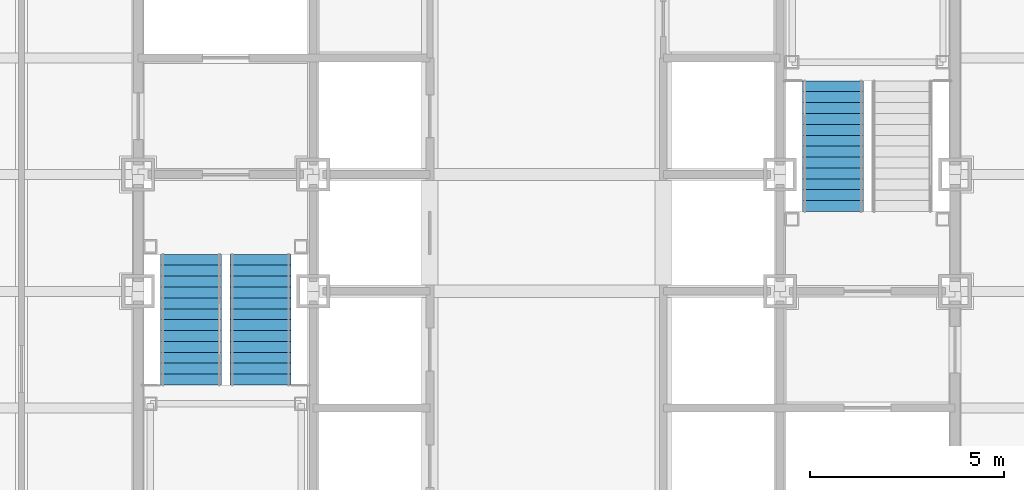
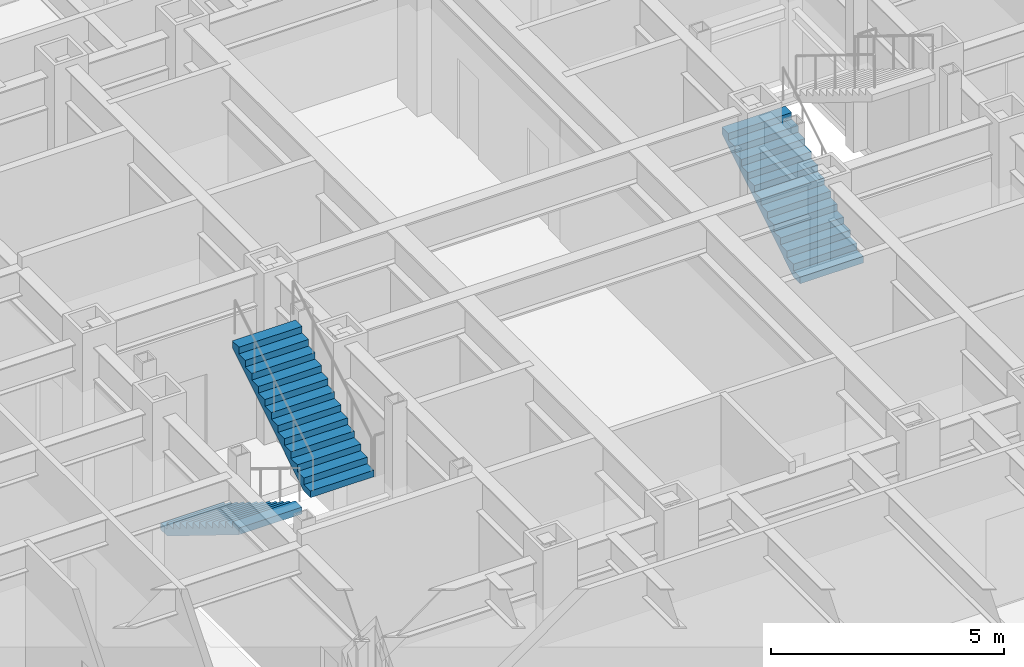
# One storey, part 12 of 16: 3 stair flights, 2 elements without a shape of their own.
"""IFC4 building model written with IfcOpenShell, lengths in metres."""

from ifc_helpers import new_model, si_unit, direction, frame, origin, place, context, subcontext, project, spatial, faceted_brep, material, type_object, element, aggregate, save


model = new_model("IFC4")

# Units and contexts
model_context = context("Model", 3, precision=1e-05, world=origin(), true_north=direction((0.0, 1.0)))
body_context = subcontext(model_context, "Body", "Model", "MODEL_VIEW")
ifc_project = project(units=[si_unit("LENGTHUNIT", "METRE"), si_unit("AREAUNIT", "SQUARE_METRE"), si_unit("VOLUMEUNIT", "CUBIC_METRE"), si_unit("PLANEANGLEUNIT", "RADIAN"), si_unit("MASSUNIT", "GRAM", prefix="KILO")], contexts=[model_context])

# Site, building, storey
site_placement = place(None, origin())
site = spatial("IfcSite", under=ifc_project, at=site_placement, CompositionType="ELEMENT")
building_placement = place(site_placement, origin())
building = spatial("IfcBuilding", under=site, at=building_placement, Name="Chuquiago Exchange Tower", CompositionType="ELEMENT")
storey_placement = place(building_placement, frame((0.0, 0.0, 73.800048828125)))
storey = spatial("IfcBuildingStorey", under=building, at=storey_placement, Name="L15", CompositionType="ELEMENT", Elevation=73.800048828125)

# Stair, stair flights
ifc_material_1 = material(Name="Concrete C30/37, precast", Category="concrete")
stair_type_1 = type_object("IfcStairType", Name="ST1 half-turn stair 4500", PredefinedType="HALF_TURN_STAIR", material=ifc_material_1)
stair_1_placement = place(storey_placement, origin())
stair_1 = element("IfcStair", 1, at=stair_1_placement, inside=storey, type_object=stair_type_1, Name="Stair ST1 L15", PredefinedType="HALF_TURN_STAIR")
ifc_material_2 = material(Name="Concrete C30/37, precast", Category="concrete")
stair_flight_type = type_object("IfcStairFlightType", Name="ST-F flight 1570 for 4500 storey", PredefinedType="STRAIGHT", material=ifc_material_2)
stair_flight_1_placement = place(storey_placement, frame((13.360107421875, 21.949951171875, 0.0), z_axis=(0.0, 0.0, 1.0), x_axis=(0.0, -1.0, 0.0)))
stair_flight_1 = element("IfcStairFlight", 2, at=stair_flight_1_placement, type_object=stair_flight_type, Name="ST1 flight 1", NumberOfRisers=13, NumberOfTreads=12, PredefinedType="STRAIGHT", RiserHeight=0.173076923, TreadLength=0.28, context=body_context, shape_type="Brep", body=[
    faceted_brep([(0.0, 0.78515625, 0.0), (0.0, 0.78515625, 0.173095703125), (0.280029296875, 0.78515625, 0.173095703125), (0.280029296875, 0.78515625, 0.34619140625), (0.56005859375, 0.78515625, 0.34619140625), (0.56005859375, 0.78515625, 0.519287109375), (0.840087890625, 0.78515625, 0.519287109375), (0.840087890625, 0.78515625, 0.6923828125), (1.1201171875, 0.78515625, 0.6923828125), (1.1201171875, 0.78515625, 0.865478515625), (1.39990234375, 0.78515625, 0.865478515625), (1.39990234375, 0.78515625, 1.03857421875), (1.679931640625, 0.78515625, 1.03857421875), (1.679931640625, 0.78515625, 1.21142578125), (1.9599609375, 0.78515625, 1.21142578125), (1.9599609375, 0.78515625, 1.384521484375), (2.239990234375, 0.78515625, 1.384521484375), (2.239990234375, 0.78515625, 1.5576171875), (2.52001953125, 0.78515625, 1.5576171875), (2.52001953125, 0.78515625, 1.730712890625), (2.800048828125, 0.78515625, 1.730712890625), (2.800048828125, 0.78515625, 1.90380859375), (3.080078125, 0.78515625, 1.90380859375), (3.080078125, 0.78515625, 2.076904296875), (3.360107421875, 0.78515625, 2.076904296875), (3.360107421875, 0.78515625, 1.900634765625), (0.28515625, 0.78515625, 0.0), (0.28515625, -0.78515625, 0.0), (3.360107421875, -0.78515625, 1.900634765625), (3.360107421875, -0.78515625, 2.076904296875), (3.080078125, -0.78515625, 2.076904296875), (3.080078125, -0.78515625, 1.90380859375), (2.800048828125, -0.78515625, 1.90380859375), (2.800048828125, -0.78515625, 1.730712890625), (2.52001953125, -0.78515625, 1.730712890625), (2.52001953125, -0.78515625, 1.5576171875), (2.239990234375, -0.78515625, 1.5576171875), (2.239990234375, -0.78515625, 1.384521484375), (1.9599609375, -0.78515625, 1.384521484375), (1.9599609375, -0.78515625, 1.21142578125), (1.679931640625, -0.78515625, 1.21142578125), (1.679931640625, -0.78515625, 1.03857421875), (1.39990234375, -0.78515625, 1.03857421875), (1.39990234375, -0.78515625, 0.865478515625), (1.1201171875, -0.78515625, 0.865478515625), (1.1201171875, -0.78515625, 0.6923828125), (0.840087890625, -0.78515625, 0.6923828125), (0.840087890625, -0.78515625, 0.519287109375), (0.56005859375, -0.78515625, 0.519287109375), (0.56005859375, -0.78515625, 0.34619140625), (0.280029296875, -0.78515625, 0.34619140625), (0.280029296875, -0.78515625, 0.173095703125), (0.0, -0.78515625, 0.173095703125), (0.0, -0.78515625, 0.0), (0.0, 0.392578125, 0.0), (0.0, 0.392578125, 0.173095703125), (0.0, 0.0, 0.0), (0.0, 0.0, 0.173095703125), (0.0, -0.392578125, 0.0), (0.0, -0.392578125, 0.173095703125), (0.280029296875, 0.392578125, 0.173095703125), (0.280029296875, 0.0, 0.173095703125), (0.280029296875, -0.392578125, 0.173095703125), (0.280029296875, 0.392578125, 0.34619140625), (0.280029296875, 0.0, 0.34619140625), (0.280029296875, -0.392578125, 0.34619140625), (0.56005859375, 0.392578125, 0.34619140625), (0.56005859375, 0.0, 0.34619140625), (0.56005859375, -0.392578125, 0.34619140625), (0.56005859375, 0.392578125, 0.519287109375), (0.56005859375, 0.0, 0.519287109375), (0.56005859375, -0.392578125, 0.519287109375), (0.840087890625, 0.392578125, 0.519287109375), (0.840087890625, 0.0, 0.519287109375), (0.840087890625, -0.392578125, 0.519287109375), (0.840087890625, 0.392578125, 0.6923828125), (0.840087890625, 0.0, 0.6923828125), (0.840087890625, -0.392578125, 0.6923828125), (1.1201171875, 0.392578125, 0.6923828125), (1.1201171875, 0.0, 0.6923828125), (1.1201171875, -0.392578125, 0.6923828125), (1.1201171875, 0.392578125, 0.865478515625), (1.1201171875, 0.0, 0.865478515625), (1.1201171875, -0.392578125, 0.865478515625), (1.39990234375, 0.392578125, 0.865478515625), (1.39990234375, 0.0, 0.865478515625), (1.39990234375, -0.392578125, 0.865478515625), (1.39990234375, 0.392578125, 1.03857421875), (1.39990234375, 0.0, 1.03857421875), (1.39990234375, -0.392578125, 1.03857421875), (1.679931640625, 0.392578125, 1.03857421875), (1.679931640625, 0.0, 1.03857421875), (1.679931640625, -0.392578125, 1.03857421875), (1.679931640625, 0.392578125, 1.21142578125), (1.679931640625, 0.0, 1.21142578125), (1.679931640625, -0.392578125, 1.21142578125), (1.9599609375, 0.392578125, 1.21142578125), (1.9599609375, 0.0, 1.21142578125), (1.9599609375, -0.392578125, 1.21142578125), (1.9599609375, 0.392578125, 1.384521484375), (1.9599609375, 0.0, 1.384521484375), (1.9599609375, -0.392578125, 1.384521484375), (2.239990234375, 0.392578125, 1.384521484375), (2.239990234375, 0.0, 1.384521484375), (2.239990234375, -0.392578125, 1.384521484375), (2.239990234375, 0.392578125, 1.5576171875), (2.239990234375, 0.0, 1.5576171875), (2.239990234375, -0.392578125, 1.5576171875), (2.52001953125, 0.392578125, 1.5576171875), (2.52001953125, 0.0, 1.5576171875), (2.52001953125, -0.392578125, 1.5576171875), (2.52001953125, 0.392578125, 1.730712890625), (2.52001953125, 0.0, 1.730712890625), (2.52001953125, -0.392578125, 1.730712890625), (2.800048828125, 0.392578125, 1.730712890625), (2.800048828125, 0.0, 1.730712890625), (2.800048828125, -0.392578125, 1.730712890625), (2.800048828125, 0.392578125, 1.90380859375), (2.800048828125, 0.0, 1.90380859375), (2.800048828125, -0.392578125, 1.90380859375), (3.080078125, 0.392578125, 1.90380859375), (3.080078125, 0.0, 1.90380859375), (3.080078125, -0.392578125, 1.90380859375), (3.080078125, 0.392578125, 2.076904296875), (3.080078125, 0.0, 2.076904296875), (3.080078125, -0.392578125, 2.076904296875), (3.360107421875, 0.392578125, 2.076904296875), (3.360107421875, 0.0, 2.076904296875), (3.360107421875, -0.392578125, 2.076904296875), (3.360107421875, 0.392578125, 1.900634765625), (3.360107421875, 0.0, 1.900634765625), (3.360107421875, -0.392578125, 1.900634765625), (0.28515625, 0.392578125, 0.0), (0.28515625, 0.0, 0.0), (0.28515625, -0.392578125, 0.0)], [[[0, 1, 2, 3, 4, 5, 6, 7, 8, 9, 10, 11, 12, 13, 14, 15, 16, 17, 18, 19, 20, 21, 22, 23, 24, 25, 26]], [[27, 28, 29, 30, 31, 32, 33, 34, 35, 36, 37, 38, 39, 40, 41, 42, 43, 44, 45, 46, 47, 48, 49, 50, 51, 52, 53]], [[1, 0, 54, 55]], [[55, 54, 56, 57]], [[57, 56, 58, 59]], [[59, 58, 53, 52]], [[2, 1, 55, 60]], [[60, 55, 57, 61]], [[61, 57, 59, 62]], [[62, 59, 52, 51]], [[3, 2, 60, 63]], [[63, 60, 61, 64]], [[64, 61, 62, 65]], [[65, 62, 51, 50]], [[4, 3, 63, 66]], [[66, 63, 64, 67]], [[67, 64, 65, 68]], [[68, 65, 50, 49]], [[5, 4, 66, 69]], [[69, 66, 67, 70]], [[70, 67, 68, 71]], [[71, 68, 49, 48]], [[6, 5, 69, 72]], [[72, 69, 70, 73]], [[73, 70, 71, 74]], [[74, 71, 48, 47]], [[7, 6, 72, 75]], [[75, 72, 73, 76]], [[76, 73, 74, 77]], [[77, 74, 47, 46]], [[8, 7, 75, 78]], [[78, 75, 76, 79]], [[79, 76, 77, 80]], [[80, 77, 46, 45]], [[9, 8, 78, 81]], [[81, 78, 79, 82]], [[82, 79, 80, 83]], [[83, 80, 45, 44]], [[10, 9, 81, 84]], [[84, 81, 82, 85]], [[85, 82, 83, 86]], [[86, 83, 44, 43]], [[11, 10, 84, 87]], [[87, 84, 85, 88]], [[88, 85, 86, 89]], [[89, 86, 43, 42]], [[12, 11, 87, 90]], [[90, 87, 88, 91]], [[91, 88, 89, 92]], [[92, 89, 42, 41]], [[13, 12, 90, 93]], [[93, 90, 91, 94]], [[94, 91, 92, 95]], [[95, 92, 41, 40]], [[14, 13, 93, 96]], [[96, 93, 94, 97]], [[97, 94, 95, 98]], [[98, 95, 40, 39]], [[15, 14, 96, 99]], [[99, 96, 97, 100]], [[100, 97, 98, 101]], [[101, 98, 39, 38]], [[16, 15, 99, 102]], [[102, 99, 100, 103]], [[103, 100, 101, 104]], [[104, 101, 38, 37]], [[17, 16, 102, 105]], [[105, 102, 103, 106]], [[106, 103, 104, 107]], [[107, 104, 37, 36]], [[18, 17, 105, 108]], [[108, 105, 106, 109]], [[109, 106, 107, 110]], [[110, 107, 36, 35]], [[19, 18, 108, 111]], [[111, 108, 109, 112]], [[112, 109, 110, 113]], [[113, 110, 35, 34]], [[20, 19, 111, 114]], [[114, 111, 112, 115]], [[115, 112, 113, 116]], [[116, 113, 34, 33]], [[21, 20, 114, 117]], [[117, 114, 115, 118]], [[118, 115, 116, 119]], [[119, 116, 33, 32]], [[22, 21, 117, 120]], [[120, 117, 118, 121]], [[121, 118, 119, 122]], [[122, 119, 32, 31]], [[23, 22, 120, 123]], [[123, 120, 121, 124]], [[124, 121, 122, 125]], [[125, 122, 31, 30]], [[24, 23, 123, 126]], [[126, 123, 124, 127]], [[127, 124, 125, 128]], [[128, 125, 30, 29]], [[25, 24, 126, 129]], [[129, 126, 127, 130]], [[130, 127, 128, 131]], [[131, 128, 29, 28]], [[26, 25, 129, 132]], [[132, 129, 130, 133]], [[133, 130, 131, 134]], [[134, 131, 28, 27]], [[0, 26, 132, 54]], [[54, 132, 133, 56]], [[56, 133, 134, 58]], [[58, 134, 27, 53]]]),
])
stair_flight_2_placement = place(storey_placement, frame((15.139892578125, 18.590087890625, 2.25), z_axis=(0.0, 0.0, 1.0), x_axis=(0.0, 1.0, 0.0)))
stair_flight_2 = element("IfcStairFlight", 3, at=stair_flight_2_placement, type_object=stair_flight_type, Name="ST1 flight 2", NumberOfRisers=13, NumberOfTreads=12, PredefinedType="STRAIGHT", RiserHeight=0.173076923, TreadLength=0.28, context=body_context, shape_type="Brep", body=[
    faceted_brep([(0.0, 0.78515625, 0.0), (0.0, 0.78515625, 0.173095703125), (0.280029296875, 0.78515625, 0.173095703125), (0.280029296875, 0.78515625, 0.34619140625), (0.56005859375, 0.78515625, 0.34619140625), (0.56005859375, 0.78515625, 0.519287109375), (0.840087890625, 0.78515625, 0.519287109375), (0.840087890625, 0.78515625, 0.6923828125), (1.1201171875, 0.78515625, 0.6923828125), (1.1201171875, 0.78515625, 0.865478515625), (1.39990234375, 0.78515625, 0.865478515625), (1.39990234375, 0.78515625, 1.03857421875), (1.679931640625, 0.78515625, 1.03857421875), (1.679931640625, 0.78515625, 1.21142578125), (1.9599609375, 0.78515625, 1.21142578125), (1.9599609375, 0.78515625, 1.384521484375), (2.239990234375, 0.78515625, 1.384521484375), (2.239990234375, 0.78515625, 1.5576171875), (2.52001953125, 0.78515625, 1.5576171875), (2.52001953125, 0.78515625, 1.730712890625), (2.800048828125, 0.78515625, 1.730712890625), (2.800048828125, 0.78515625, 1.90380859375), (3.080078125, 0.78515625, 1.90380859375), (3.080078125, 0.78515625, 2.076904296875), (3.360107421875, 0.78515625, 2.076904296875), (3.360107421875, 0.78515625, 1.900634765625), (0.28515625, 0.78515625, 0.0), (0.28515625, -0.78515625, 0.0), (3.360107421875, -0.78515625, 1.900634765625), (3.360107421875, -0.78515625, 2.076904296875), (3.080078125, -0.78515625, 2.076904296875), (3.080078125, -0.78515625, 1.90380859375), (2.800048828125, -0.78515625, 1.90380859375), (2.800048828125, -0.78515625, 1.730712890625), (2.52001953125, -0.78515625, 1.730712890625), (2.52001953125, -0.78515625, 1.5576171875), (2.239990234375, -0.78515625, 1.5576171875), (2.239990234375, -0.78515625, 1.384521484375), (1.9599609375, -0.78515625, 1.384521484375), (1.9599609375, -0.78515625, 1.21142578125), (1.679931640625, -0.78515625, 1.21142578125), (1.679931640625, -0.78515625, 1.03857421875), (1.39990234375, -0.78515625, 1.03857421875), (1.39990234375, -0.78515625, 0.865478515625), (1.1201171875, -0.78515625, 0.865478515625), (1.1201171875, -0.78515625, 0.6923828125), (0.840087890625, -0.78515625, 0.6923828125), (0.840087890625, -0.78515625, 0.519287109375), (0.56005859375, -0.78515625, 0.519287109375), (0.56005859375, -0.78515625, 0.34619140625), (0.280029296875, -0.78515625, 0.34619140625), (0.280029296875, -0.78515625, 0.173095703125), (0.0, -0.78515625, 0.173095703125), (0.0, -0.78515625, 0.0), (0.0, 0.392578125, 0.0), (0.0, 0.392578125, 0.173095703125), (0.0, 0.0, 0.0), (0.0, 0.0, 0.173095703125), (0.0, -0.392578125, 0.0), (0.0, -0.392578125, 0.173095703125), (0.280029296875, 0.392578125, 0.173095703125), (0.280029296875, 0.0, 0.173095703125), (0.280029296875, -0.392578125, 0.173095703125), (0.280029296875, 0.392578125, 0.34619140625), (0.280029296875, 0.0, 0.34619140625), (0.280029296875, -0.392578125, 0.34619140625), (0.56005859375, 0.392578125, 0.34619140625), (0.56005859375, 0.0, 0.34619140625), (0.56005859375, -0.392578125, 0.34619140625), (0.56005859375, 0.392578125, 0.519287109375), (0.56005859375, 0.0, 0.519287109375), (0.56005859375, -0.392578125, 0.519287109375), (0.840087890625, 0.392578125, 0.519287109375), (0.840087890625, 0.0, 0.519287109375), (0.840087890625, -0.392578125, 0.519287109375), (0.840087890625, 0.392578125, 0.6923828125), (0.840087890625, 0.0, 0.6923828125), (0.840087890625, -0.392578125, 0.6923828125), (1.1201171875, 0.392578125, 0.6923828125), (1.1201171875, 0.0, 0.6923828125), (1.1201171875, -0.392578125, 0.6923828125), (1.1201171875, 0.392578125, 0.865478515625), (1.1201171875, 0.0, 0.865478515625), (1.1201171875, -0.392578125, 0.865478515625), (1.39990234375, 0.392578125, 0.865478515625), (1.39990234375, 0.0, 0.865478515625), (1.39990234375, -0.392578125, 0.865478515625), (1.39990234375, 0.392578125, 1.03857421875), (1.39990234375, 0.0, 1.03857421875), (1.39990234375, -0.392578125, 1.03857421875), (1.679931640625, 0.392578125, 1.03857421875), (1.679931640625, 0.0, 1.03857421875), (1.679931640625, -0.392578125, 1.03857421875), (1.679931640625, 0.392578125, 1.21142578125), (1.679931640625, 0.0, 1.21142578125), (1.679931640625, -0.392578125, 1.21142578125), (1.9599609375, 0.392578125, 1.21142578125), (1.9599609375, 0.0, 1.21142578125), (1.9599609375, -0.392578125, 1.21142578125), (1.9599609375, 0.392578125, 1.384521484375), (1.9599609375, 0.0, 1.384521484375), (1.9599609375, -0.392578125, 1.384521484375), (2.239990234375, 0.392578125, 1.384521484375), (2.239990234375, 0.0, 1.384521484375), (2.239990234375, -0.392578125, 1.384521484375), (2.239990234375, 0.392578125, 1.5576171875), (2.239990234375, 0.0, 1.5576171875), (2.239990234375, -0.392578125, 1.5576171875), (2.52001953125, 0.392578125, 1.5576171875), (2.52001953125, 0.0, 1.5576171875), (2.52001953125, -0.392578125, 1.5576171875), (2.52001953125, 0.392578125, 1.730712890625), (2.52001953125, 0.0, 1.730712890625), (2.52001953125, -0.392578125, 1.730712890625), (2.800048828125, 0.392578125, 1.730712890625), (2.800048828125, 0.0, 1.730712890625), (2.800048828125, -0.392578125, 1.730712890625), (2.800048828125, 0.392578125, 1.90380859375), (2.800048828125, 0.0, 1.90380859375), (2.800048828125, -0.392578125, 1.90380859375), (3.080078125, 0.392578125, 1.90380859375), (3.080078125, 0.0, 1.90380859375), (3.080078125, -0.392578125, 1.90380859375), (3.080078125, 0.392578125, 2.076904296875), (3.080078125, 0.0, 2.076904296875), (3.080078125, -0.392578125, 2.076904296875), (3.360107421875, 0.392578125, 2.076904296875), (3.360107421875, 0.0, 2.076904296875), (3.360107421875, -0.392578125, 2.076904296875), (3.360107421875, 0.392578125, 1.900634765625), (3.360107421875, 0.0, 1.900634765625), (3.360107421875, -0.392578125, 1.900634765625), (0.28515625, 0.392578125, 0.0), (0.28515625, 0.0, 0.0), (0.28515625, -0.392578125, 0.0)], [[[0, 1, 2, 3, 4, 5, 6, 7, 8, 9, 10, 11, 12, 13, 14, 15, 16, 17, 18, 19, 20, 21, 22, 23, 24, 25, 26]], [[27, 28, 29, 30, 31, 32, 33, 34, 35, 36, 37, 38, 39, 40, 41, 42, 43, 44, 45, 46, 47, 48, 49, 50, 51, 52, 53]], [[1, 0, 54, 55]], [[55, 54, 56, 57]], [[57, 56, 58, 59]], [[59, 58, 53, 52]], [[2, 1, 55, 60]], [[60, 55, 57, 61]], [[61, 57, 59, 62]], [[62, 59, 52, 51]], [[3, 2, 60, 63]], [[63, 60, 61, 64]], [[64, 61, 62, 65]], [[65, 62, 51, 50]], [[4, 3, 63, 66]], [[66, 63, 64, 67]], [[67, 64, 65, 68]], [[68, 65, 50, 49]], [[5, 4, 66, 69]], [[69, 66, 67, 70]], [[70, 67, 68, 71]], [[71, 68, 49, 48]], [[6, 5, 69, 72]], [[72, 69, 70, 73]], [[73, 70, 71, 74]], [[74, 71, 48, 47]], [[7, 6, 72, 75]], [[75, 72, 73, 76]], [[76, 73, 74, 77]], [[77, 74, 47, 46]], [[8, 7, 75, 78]], [[78, 75, 76, 79]], [[79, 76, 77, 80]], [[80, 77, 46, 45]], [[9, 8, 78, 81]], [[81, 78, 79, 82]], [[82, 79, 80, 83]], [[83, 80, 45, 44]], [[10, 9, 81, 84]], [[84, 81, 82, 85]], [[85, 82, 83, 86]], [[86, 83, 44, 43]], [[11, 10, 84, 87]], [[87, 84, 85, 88]], [[88, 85, 86, 89]], [[89, 86, 43, 42]], [[12, 11, 87, 90]], [[90, 87, 88, 91]], [[91, 88, 89, 92]], [[92, 89, 42, 41]], [[13, 12, 90, 93]], [[93, 90, 91, 94]], [[94, 91, 92, 95]], [[95, 92, 41, 40]], [[14, 13, 93, 96]], [[96, 93, 94, 97]], [[97, 94, 95, 98]], [[98, 95, 40, 39]], [[15, 14, 96, 99]], [[99, 96, 97, 100]], [[100, 97, 98, 101]], [[101, 98, 39, 38]], [[16, 15, 99, 102]], [[102, 99, 100, 103]], [[103, 100, 101, 104]], [[104, 101, 38, 37]], [[17, 16, 102, 105]], [[105, 102, 103, 106]], [[106, 103, 104, 107]], [[107, 104, 37, 36]], [[18, 17, 105, 108]], [[108, 105, 106, 109]], [[109, 106, 107, 110]], [[110, 107, 36, 35]], [[19, 18, 108, 111]], [[111, 108, 109, 112]], [[112, 109, 110, 113]], [[113, 110, 35, 34]], [[20, 19, 111, 114]], [[114, 111, 112, 115]], [[115, 112, 113, 116]], [[116, 113, 34, 33]], [[21, 20, 114, 117]], [[117, 114, 115, 118]], [[118, 115, 116, 119]], [[119, 116, 33, 32]], [[22, 21, 117, 120]], [[120, 117, 118, 121]], [[121, 118, 119, 122]], [[122, 119, 32, 31]], [[23, 22, 120, 123]], [[123, 120, 121, 124]], [[124, 121, 122, 125]], [[125, 122, 31, 30]], [[24, 23, 123, 126]], [[126, 123, 124, 127]], [[127, 124, 125, 128]], [[128, 125, 30, 29]], [[25, 24, 126, 129]], [[129, 126, 127, 130]], [[130, 127, 128, 131]], [[131, 128, 29, 28]], [[26, 25, 129, 132]], [[132, 129, 130, 133]], [[133, 130, 131, 134]], [[134, 131, 28, 27]], [[0, 26, 132, 54]], [[54, 132, 133, 56]], [[56, 133, 134, 58]], [[58, 134, 27, 53]]]),
])
aggregate(stair_1, [stair_flight_1, stair_flight_2])

# Stair, stair flight
ifc_material_3 = material(Name="Concrete C30/37, precast", Category="concrete")
stair_type_2 = type_object("IfcStairType", Name="ST2 half-turn stair 4500", PredefinedType="HALF_TURN_STAIR", material=ifc_material_3)
stair_2_placement = place(storey_placement, origin())
stair_2 = element("IfcStair", 4, at=stair_2_placement, inside=storey, type_object=stair_type_2, Name="Stair ST2 L15", PredefinedType="HALF_TURN_STAIR")
stair_flight_3_placement = place(storey_placement, frame((29.860107421875, 23.050048828125, 0.0), z_axis=(0.0, 0.0, 1.0), x_axis=(0.0, 1.0, 0.0)))
stair_flight_3 = element("IfcStairFlight", 5, at=stair_flight_3_placement, type_object=stair_flight_type, Name="ST2 flight 1", NumberOfRisers=13, NumberOfTreads=12, PredefinedType="STRAIGHT", RiserHeight=0.173076923, TreadLength=0.28, context=body_context, shape_type="Brep", body=[
    faceted_brep([(0.0, 0.78515625, 0.0), (0.0, 0.78515625, 0.173095703125), (0.280029296875, 0.78515625, 0.173095703125), (0.280029296875, 0.78515625, 0.34619140625), (0.56005859375, 0.78515625, 0.34619140625), (0.56005859375, 0.78515625, 0.519287109375), (0.840087890625, 0.78515625, 0.519287109375), (0.840087890625, 0.78515625, 0.6923828125), (1.1201171875, 0.78515625, 0.6923828125), (1.1201171875, 0.78515625, 0.865478515625), (1.39990234375, 0.78515625, 0.865478515625), (1.39990234375, 0.78515625, 1.03857421875), (1.679931640625, 0.78515625, 1.03857421875), (1.679931640625, 0.78515625, 1.21142578125), (1.9599609375, 0.78515625, 1.21142578125), (1.9599609375, 0.78515625, 1.384521484375), (2.239990234375, 0.78515625, 1.384521484375), (2.239990234375, 0.78515625, 1.5576171875), (2.52001953125, 0.78515625, 1.5576171875), (2.52001953125, 0.78515625, 1.730712890625), (2.800048828125, 0.78515625, 1.730712890625), (2.800048828125, 0.78515625, 1.90380859375), (3.080078125, 0.78515625, 1.90380859375), (3.080078125, 0.78515625, 2.076904296875), (3.360107421875, 0.78515625, 2.076904296875), (3.360107421875, 0.78515625, 1.900634765625), (0.28515625, 0.78515625, 0.0), (0.28515625, -0.78515625, 0.0), (3.360107421875, -0.78515625, 1.900634765625), (3.360107421875, -0.78515625, 2.076904296875), (3.080078125, -0.78515625, 2.076904296875), (3.080078125, -0.78515625, 1.90380859375), (2.800048828125, -0.78515625, 1.90380859375), (2.800048828125, -0.78515625, 1.730712890625), (2.52001953125, -0.78515625, 1.730712890625), (2.52001953125, -0.78515625, 1.5576171875), (2.239990234375, -0.78515625, 1.5576171875), (2.239990234375, -0.78515625, 1.384521484375), (1.9599609375, -0.78515625, 1.384521484375), (1.9599609375, -0.78515625, 1.21142578125), (1.679931640625, -0.78515625, 1.21142578125), (1.679931640625, -0.78515625, 1.03857421875), (1.39990234375, -0.78515625, 1.03857421875), (1.39990234375, -0.78515625, 0.865478515625), (1.1201171875, -0.78515625, 0.865478515625), (1.1201171875, -0.78515625, 0.6923828125), (0.840087890625, -0.78515625, 0.6923828125), (0.840087890625, -0.78515625, 0.519287109375), (0.56005859375, -0.78515625, 0.519287109375), (0.56005859375, -0.78515625, 0.34619140625), (0.280029296875, -0.78515625, 0.34619140625), (0.280029296875, -0.78515625, 0.173095703125), (0.0, -0.78515625, 0.173095703125), (0.0, -0.78515625, 0.0), (0.0, 0.392578125, 0.0), (0.0, 0.392578125, 0.173095703125), (0.0, 0.0, 0.0), (0.0, 0.0, 0.173095703125), (0.0, -0.392578125, 0.0), (0.0, -0.392578125, 0.173095703125), (0.280029296875, 0.392578125, 0.173095703125), (0.280029296875, 0.0, 0.173095703125), (0.280029296875, -0.392578125, 0.173095703125), (0.280029296875, 0.392578125, 0.34619140625), (0.280029296875, 0.0, 0.34619140625), (0.280029296875, -0.392578125, 0.34619140625), (0.56005859375, 0.392578125, 0.34619140625), (0.56005859375, 0.0, 0.34619140625), (0.56005859375, -0.392578125, 0.34619140625), (0.56005859375, 0.392578125, 0.519287109375), (0.56005859375, 0.0, 0.519287109375), (0.56005859375, -0.392578125, 0.519287109375), (0.840087890625, 0.392578125, 0.519287109375), (0.840087890625, 0.0, 0.519287109375), (0.840087890625, -0.392578125, 0.519287109375), (0.840087890625, 0.392578125, 0.6923828125), (0.840087890625, 0.0, 0.6923828125), (0.840087890625, -0.392578125, 0.6923828125), (1.1201171875, 0.392578125, 0.6923828125), (1.1201171875, 0.0, 0.6923828125), (1.1201171875, -0.392578125, 0.6923828125), (1.1201171875, 0.392578125, 0.865478515625), (1.1201171875, 0.0, 0.865478515625), (1.1201171875, -0.392578125, 0.865478515625), (1.39990234375, 0.392578125, 0.865478515625), (1.39990234375, 0.0, 0.865478515625), (1.39990234375, -0.392578125, 0.865478515625), (1.39990234375, 0.392578125, 1.03857421875), (1.39990234375, 0.0, 1.03857421875), (1.39990234375, -0.392578125, 1.03857421875), (1.679931640625, 0.392578125, 1.03857421875), (1.679931640625, 0.0, 1.03857421875), (1.679931640625, -0.392578125, 1.03857421875), (1.679931640625, 0.392578125, 1.21142578125), (1.679931640625, 0.0, 1.21142578125), (1.679931640625, -0.392578125, 1.21142578125), (1.9599609375, 0.392578125, 1.21142578125), (1.9599609375, 0.0, 1.21142578125), (1.9599609375, -0.392578125, 1.21142578125), (1.9599609375, 0.392578125, 1.384521484375), (1.9599609375, 0.0, 1.384521484375), (1.9599609375, -0.392578125, 1.384521484375), (2.239990234375, 0.392578125, 1.384521484375), (2.239990234375, 0.0, 1.384521484375), (2.239990234375, -0.392578125, 1.384521484375), (2.239990234375, 0.392578125, 1.5576171875), (2.239990234375, 0.0, 1.5576171875), (2.239990234375, -0.392578125, 1.5576171875), (2.52001953125, 0.392578125, 1.5576171875), (2.52001953125, 0.0, 1.5576171875), (2.52001953125, -0.392578125, 1.5576171875), (2.52001953125, 0.392578125, 1.730712890625), (2.52001953125, 0.0, 1.730712890625), (2.52001953125, -0.392578125, 1.730712890625), (2.800048828125, 0.392578125, 1.730712890625), (2.800048828125, 0.0, 1.730712890625), (2.800048828125, -0.392578125, 1.730712890625), (2.800048828125, 0.392578125, 1.90380859375), (2.800048828125, 0.0, 1.90380859375), (2.800048828125, -0.392578125, 1.90380859375), (3.080078125, 0.392578125, 1.90380859375), (3.080078125, 0.0, 1.90380859375), (3.080078125, -0.392578125, 1.90380859375), (3.080078125, 0.392578125, 2.076904296875), (3.080078125, 0.0, 2.076904296875), (3.080078125, -0.392578125, 2.076904296875), (3.360107421875, 0.392578125, 2.076904296875), (3.360107421875, 0.0, 2.076904296875), (3.360107421875, -0.392578125, 2.076904296875), (3.360107421875, 0.392578125, 1.900634765625), (3.360107421875, 0.0, 1.900634765625), (3.360107421875, -0.392578125, 1.900634765625), (0.28515625, 0.392578125, 0.0), (0.28515625, 0.0, 0.0), (0.28515625, -0.392578125, 0.0)], [[[0, 1, 2, 3, 4, 5, 6, 7, 8, 9, 10, 11, 12, 13, 14, 15, 16, 17, 18, 19, 20, 21, 22, 23, 24, 25, 26]], [[27, 28, 29, 30, 31, 32, 33, 34, 35, 36, 37, 38, 39, 40, 41, 42, 43, 44, 45, 46, 47, 48, 49, 50, 51, 52, 53]], [[1, 0, 54, 55]], [[55, 54, 56, 57]], [[57, 56, 58, 59]], [[59, 58, 53, 52]], [[2, 1, 55, 60]], [[60, 55, 57, 61]], [[61, 57, 59, 62]], [[62, 59, 52, 51]], [[3, 2, 60, 63]], [[63, 60, 61, 64]], [[64, 61, 62, 65]], [[65, 62, 51, 50]], [[4, 3, 63, 66]], [[66, 63, 64, 67]], [[67, 64, 65, 68]], [[68, 65, 50, 49]], [[5, 4, 66, 69]], [[69, 66, 67, 70]], [[70, 67, 68, 71]], [[71, 68, 49, 48]], [[6, 5, 69, 72]], [[72, 69, 70, 73]], [[73, 70, 71, 74]], [[74, 71, 48, 47]], [[7, 6, 72, 75]], [[75, 72, 73, 76]], [[76, 73, 74, 77]], [[77, 74, 47, 46]], [[8, 7, 75, 78]], [[78, 75, 76, 79]], [[79, 76, 77, 80]], [[80, 77, 46, 45]], [[9, 8, 78, 81]], [[81, 78, 79, 82]], [[82, 79, 80, 83]], [[83, 80, 45, 44]], [[10, 9, 81, 84]], [[84, 81, 82, 85]], [[85, 82, 83, 86]], [[86, 83, 44, 43]], [[11, 10, 84, 87]], [[87, 84, 85, 88]], [[88, 85, 86, 89]], [[89, 86, 43, 42]], [[12, 11, 87, 90]], [[90, 87, 88, 91]], [[91, 88, 89, 92]], [[92, 89, 42, 41]], [[13, 12, 90, 93]], [[93, 90, 91, 94]], [[94, 91, 92, 95]], [[95, 92, 41, 40]], [[14, 13, 93, 96]], [[96, 93, 94, 97]], [[97, 94, 95, 98]], [[98, 95, 40, 39]], [[15, 14, 96, 99]], [[99, 96, 97, 100]], [[100, 97, 98, 101]], [[101, 98, 39, 38]], [[16, 15, 99, 102]], [[102, 99, 100, 103]], [[103, 100, 101, 104]], [[104, 101, 38, 37]], [[17, 16, 102, 105]], [[105, 102, 103, 106]], [[106, 103, 104, 107]], [[107, 104, 37, 36]], [[18, 17, 105, 108]], [[108, 105, 106, 109]], [[109, 106, 107, 110]], [[110, 107, 36, 35]], [[19, 18, 108, 111]], [[111, 108, 109, 112]], [[112, 109, 110, 113]], [[113, 110, 35, 34]], [[20, 19, 111, 114]], [[114, 111, 112, 115]], [[115, 112, 113, 116]], [[116, 113, 34, 33]], [[21, 20, 114, 117]], [[117, 114, 115, 118]], [[118, 115, 116, 119]], [[119, 116, 33, 32]], [[22, 21, 117, 120]], [[120, 117, 118, 121]], [[121, 118, 119, 122]], [[122, 119, 32, 31]], [[23, 22, 120, 123]], [[123, 120, 121, 124]], [[124, 121, 122, 125]], [[125, 122, 31, 30]], [[24, 23, 123, 126]], [[126, 123, 124, 127]], [[127, 124, 125, 128]], [[128, 125, 30, 29]], [[25, 24, 126, 129]], [[129, 126, 127, 130]], [[130, 127, 128, 131]], [[131, 128, 29, 28]], [[26, 25, 129, 132]], [[132, 129, 130, 133]], [[133, 130, 131, 134]], [[134, 131, 28, 27]], [[0, 26, 132, 54]], [[54, 132, 133, 56]], [[56, 133, 134, 58]], [[58, 134, 27, 53]]]),
])
aggregate(stair_2, [stair_flight_3])

save(model, "model.ifc")
